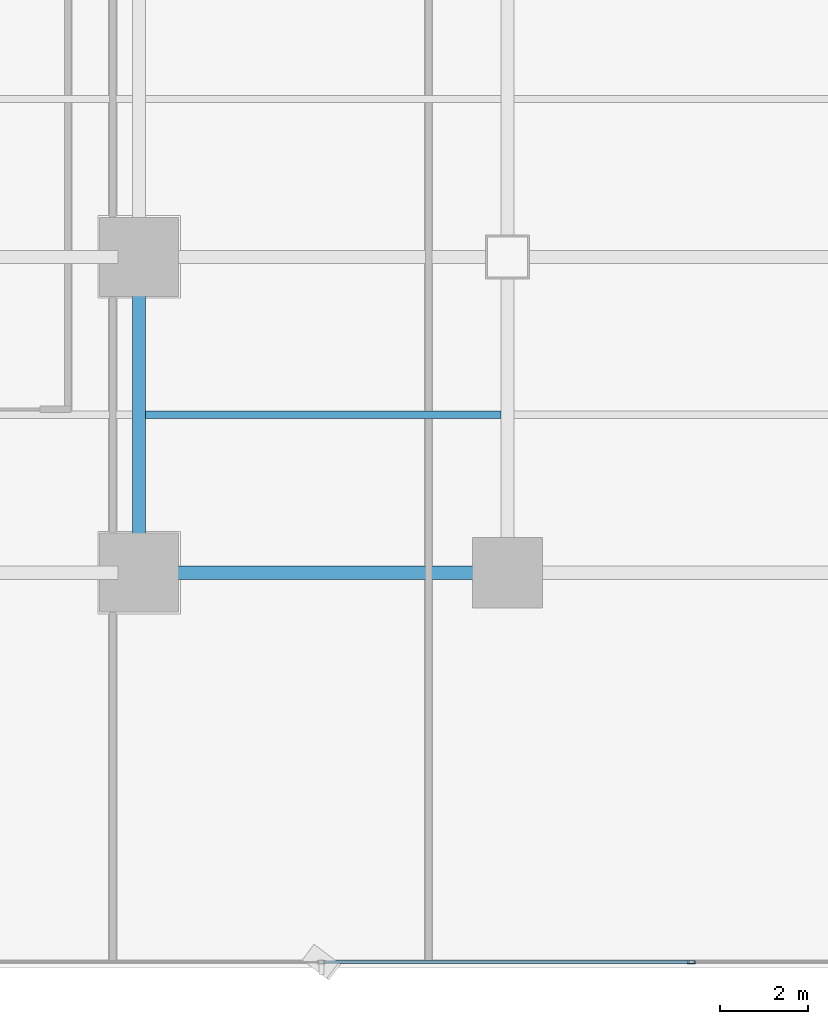
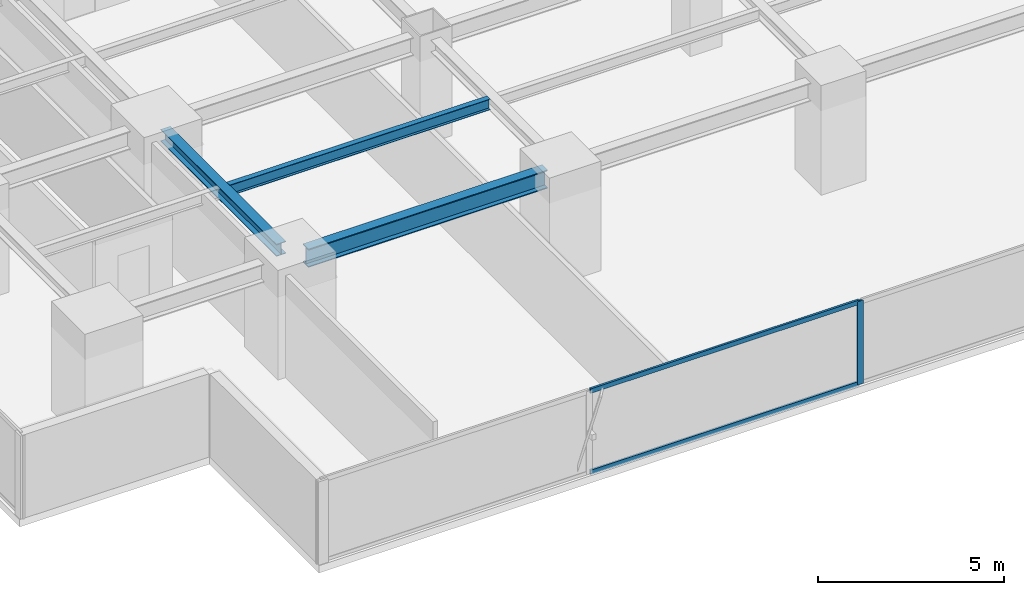
# One storey, part 4 of 32: 3 beams, 3 members, 1 element without a shape of its own.
"""IFC4 building model written with IfcOpenShell, lengths in metres."""

from ifc_helpers import new_model, si_unit, direction, frame, origin, origin_2d, place, context, subcontext, project, spatial, hollow_rectangle, i_section, extrude, source, transform, mapped, material, layer, layer_set, material_profile, profile_set, type_object, element, aggregate, save


model = new_model("IFC4")

# Units and contexts
model_context = context("Model", 3, precision=1e-05, world=origin(), true_north=direction((0.0, 1.0)))
body_context = subcontext(model_context, "Body", "Model", "MODEL_VIEW")
ifc_project = project(units=[si_unit("LENGTHUNIT", "METRE"), si_unit("AREAUNIT", "SQUARE_METRE"), si_unit("VOLUMEUNIT", "CUBIC_METRE"), si_unit("PLANEANGLEUNIT", "RADIAN"), si_unit("MASSUNIT", "GRAM", prefix="KILO")], contexts=[model_context])

# Site, building, storey
site_placement = place(None, origin())
site = spatial("IfcSite", under=ifc_project, at=site_placement, CompositionType="ELEMENT")
building_placement = place(site_placement, origin())
building = spatial("IfcBuilding", under=site, at=building_placement, Name="Sumidabori Civic Tower", CompositionType="ELEMENT")
storey_placement = place(building_placement, frame((0.0, 0.0, 52.39990234375)))
storey = spatial("IfcBuildingStorey", under=building, at=storey_placement, Name="L13", CompositionType="ELEMENT", Elevation=52.39990234375)

# Beams
ifc_material_1 = material(Name="Steel SN490", Category="steel")
ifc_material_profile_1 = material_profile(ifc_material_1, i_section(OverallWidth=0.300048828125, OverallDepth=0.60009765625, WebThickness=0.015380859375, FlangeThickness=0.030029296875, at=origin_2d()), Name="HE 600 B")
ifc_profile_set_1 = profile_set([ifc_material_profile_1], Name="Steel SN490")
beam_type_1 = type_object("IfcBeamType", Name="BM-GIRD-600", PredefinedType="BEAM", material=ifc_profile_set_1)
shared_shape_1 = source(origin(), body_context, "Body", "SweptSolid", [
    extrude(i_section(OverallWidth=0.300048828125, OverallDepth=0.60009765625, WebThickness=0.015380859375, FlangeThickness=0.030029296875, at=origin_2d()), origin(), (0.0, 0.0, 1.0), 7.440185546875),
])
beam_1_placement = place(storey_placement, frame((-16.320068359375, -18.0, 3.06005859375), z_axis=(1.0, 0.0, 0.0), x_axis=(0.0, 1.0, 0.0)))
element("IfcBeam", 1, at=beam_1_placement, inside=storey, type_object=beam_type_1, Name="Primary Girder L13 GX-02", PredefinedType="BEAM", context=body_context, shape_type="MappedRepresentation", body=[
    mapped(shared_shape_1, transform((0.0, 0.0, 0.0), x_axis=(1.0, 0.0, 0.0), y_axis=(0.0, 1.0, 0.0), z_axis=(0.0, 0.0, 1.0), scale=1.0)),
])
ifc_material_profile_2 = material_profile(ifc_material_1, i_section(OverallWidth=0.300048828125, OverallDepth=0.39990234375, WebThickness=0.013427734375, FlangeThickness=0.02392578125, at=origin_2d()), Name="HE 400 B")
ifc_profile_set_2 = profile_set([ifc_material_profile_2], Name="Steel SN490")
beam_type_2 = type_object("IfcBeamType", Name="BM-GIRD-400", PredefinedType="BEAM", material=ifc_profile_set_2)
shared_shape_2 = source(origin(), body_context, "Body", "SweptSolid", [
    extrude(i_section(OverallWidth=0.300048828125, OverallDepth=0.39990234375, WebThickness=0.013427734375, FlangeThickness=0.02392578125, at=origin_2d()), origin(), (0.0, 0.0, 1.0), 6.239990234375),
])
beam_2_placement = place(storey_placement, frame((-16.800048828125, -17.52001953125, 3.16015625), z_axis=(0.0, 1.0, 0.0), x_axis=(-1.0, 0.0, 0.0)))
element("IfcBeam", 2, at=beam_2_placement, inside=storey, type_object=beam_type_2, Name="Primary Girder L13 GY-25", PredefinedType="BEAM", context=body_context, shape_type="MappedRepresentation", body=[
    mapped(shared_shape_2, transform((0.0, 0.0, 0.0), x_axis=(1.0, 0.0, 0.0), y_axis=(0.0, 1.0, 0.0), z_axis=(0.0, 0.0, 1.0), scale=1.0)),
])
ifc_material_profile_3 = material_profile(ifc_material_1, i_section(OverallWidth=0.169921875, OverallDepth=0.360107421875, WebThickness=0.008056640625, FlangeThickness=0.0126953125, at=origin_2d()), Name="IPE 360")
ifc_profile_set_3 = profile_set([ifc_material_profile_3], Name="Steel SN490")
beam_type_3 = type_object("IfcBeamType", Name="BM-JST-360", PredefinedType="JOIST", material=ifc_profile_set_3)
shared_shape_3 = source(origin(), body_context, "Body", "SweptSolid", [
    extrude(i_section(OverallWidth=0.169921875, OverallDepth=0.360107421875, WebThickness=0.008056640625, FlangeThickness=0.0126953125, at=origin_2d()), origin(), (0.0, 0.0, 1.0), 8.099853515625),
])
beam_3_placement = place(storey_placement, frame((-16.64990234375, -14.39990234375, 3.18017578125), z_axis=(1.0, 0.0, 0.0), x_axis=(0.0, 1.0, 0.0)))
element("IfcBeam", 3, at=beam_3_placement, inside=storey, type_object=beam_type_3, Name="South Bay Floor Joist L13 JSTS-61", PredefinedType="JOIST", context=body_context, shape_type="MappedRepresentation", body=[
    mapped(shared_shape_3, transform((0.0, 0.0, 0.0), x_axis=(1.0, 0.0, 0.0), y_axis=(0.0, 1.0, 0.0), z_axis=(0.0, 0.0, 1.0), scale=1.0)),
])

# Curtain wall, members
ifc_material_2 = material(Name="Anodised Bronze Aluminium AW-6063-T6", Category="aluminium")
ifc_layer = layer(ifc_material_2, 0.179931640625, Name="Anodised Bronze Aluminium AW-6063-T6")
ifc_layer_set = layer_set([ifc_layer], Name="Anodised Bronze Aluminium AW-6063-T6")
curtain_wall_type = type_object("IfcCurtainWallType", Name="CW-SYS-2", PredefinedType="NOTDEFINED", material=ifc_layer_set)
curtain_wall_placement = place(storey_placement, origin())
curtain_wall = element("IfcCurtainWall", 4, at=curtain_wall_placement, inside=storey, type_object=curtain_wall_type, Name="Curtain Wall CW:L13:R01", PredefinedType="NOTDEFINED")
ifc_material_profile_4 = material_profile(ifc_material_2, hollow_rectangle(XDim=0.070068359375, YDim=0.179931640625, WallThickness=0.006103515625, at=origin_2d()), Name="ALU MULLION 180x70")
ifc_profile_set_4 = profile_set([ifc_material_profile_4], Name="Anodised Bronze Aluminium AW-6063-T6")
member_type_1 = type_object("IfcMemberType", Name="CW-MUL-180", PredefinedType="MULLION", material=ifc_profile_set_4)
shared_shape_4 = source(origin(), body_context, "Body", "SweptSolid", [
    extrude(hollow_rectangle(XDim=0.070068359375, YDim=0.179931640625, WallThickness=0.006103515625, at=origin_2d()), origin(), (0.0, 0.0, 1.0), 2.739990234375),
])
member_1_placement = place(storey_placement, frame((-4.214111328125, -26.8798828125, 0.0), z_axis=(0.0, 0.0, 1.0), x_axis=(0.0, 1.0, 0.0)))
member_1 = element("IfcMember", 5, at=member_1_placement, type_object=member_type_1, Name="CW-2 mullion 3", PredefinedType="MULLION", context=body_context, shape_type="MappedRepresentation", body=[
    mapped(shared_shape_4, transform((0.0, 0.0, 0.0), x_axis=(1.0, 0.0, 0.0), y_axis=(0.0, 1.0, 0.0), z_axis=(0.0, 0.0, 1.0), scale=1.0)),
])
ifc_material_profile_5 = material_profile(ifc_material_2, hollow_rectangle(XDim=0.06494140625, YDim=0.14990234375, WallThickness=0.0048828125, at=origin_2d()), Name="ALU TRANSOM 150x65")
ifc_profile_set_5 = profile_set([ifc_material_profile_5], Name="Anodised Bronze Aluminium AW-6063-T6")
member_type_2 = type_object("IfcMemberType", Name="CW-TRN-150", PredefinedType="USERDEFINED", material=ifc_profile_set_5)
shared_shape_5 = source(origin(), body_context, "Body", "SweptSolid", [
    extrude(hollow_rectangle(XDim=0.06494140625, YDim=0.14990234375, WallThickness=0.0048828125, at=origin_2d()), origin(), (0.0, 0.0, 1.0), 8.35791015625),
])
member_2_placement = place(storey_placement, frame((-12.60693359375, -26.8798828125, 0.03271484375), z_axis=(1.0, 0.0, 0.0), x_axis=(0.0, 1.0, 0.0)))
member_2 = element("IfcMember", 6, at=member_2_placement, type_object=member_type_2, Name="CW-2 transom 2.1", ObjectType="TRANSOM", PredefinedType="USERDEFINED", context=body_context, shape_type="MappedRepresentation", body=[
    mapped(shared_shape_5, transform((0.0, 0.0, 0.0), x_axis=(1.0, 0.0, 0.0), y_axis=(0.0, 1.0, 0.0), z_axis=(0.0, 0.0, 1.0), scale=1.0)),
])
member_3_placement = place(storey_placement, frame((-12.60693359375, -26.8798828125, 2.70751953125), z_axis=(1.0, 0.0, 0.0), x_axis=(0.0, 1.0, 0.0)))
member_3 = element("IfcMember", 7, at=member_3_placement, type_object=member_type_2, Name="CW-2 transom 2.2", ObjectType="TRANSOM", PredefinedType="USERDEFINED", context=body_context, shape_type="MappedRepresentation", body=[
    mapped(shared_shape_5, transform((0.0, 0.0, 0.0), x_axis=(1.0, 0.0, 0.0), y_axis=(0.0, 1.0, 0.0), z_axis=(0.0, 0.0, 1.0), scale=1.0)),
])
aggregate(curtain_wall, [member_1, member_2, member_3])

save(model, "model.ifc")
